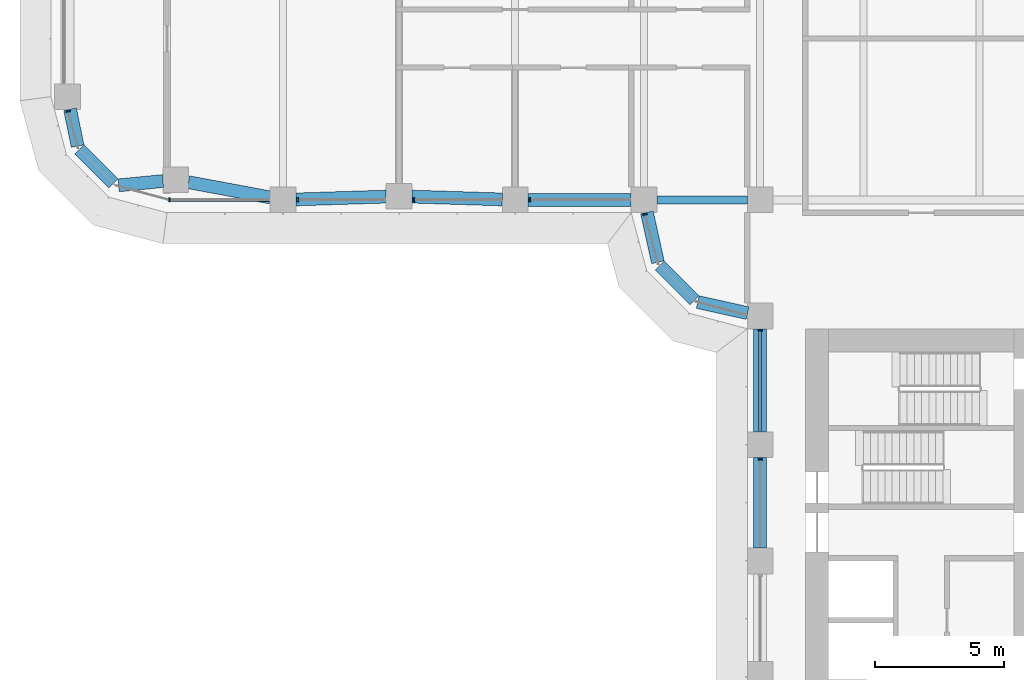
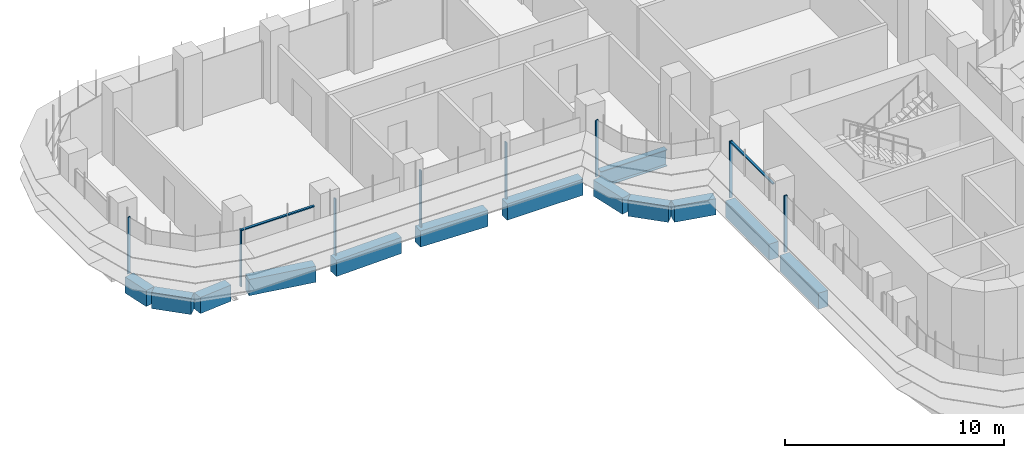
# One storey, part 3 of 23: 13 beams, 10 members, 4 elements without a shape of their own.
"""IFC4 building model written with IfcOpenShell, lengths in metres."""

from ifc_helpers import new_model, si_unit, direction, frame, origin, origin_2d, place, context, subcontext, project, spatial, polyline, rectangle, i_section, outline, extrude, source, transform, mapped, material, material_profile, profile_set, type_object, element, aggregate, save


model = new_model("IFC4")

# Units and contexts
model_context = context("Model", 3, precision=1e-05, world=origin(), true_north=direction((0.0, 1.0)))
body_context = subcontext(model_context, "Body", "Model", "MODEL_VIEW")
ifc_project = project(units=[si_unit("LENGTHUNIT", "METRE"), si_unit("AREAUNIT", "SQUARE_METRE"), si_unit("VOLUMEUNIT", "CUBIC_METRE"), si_unit("PLANEANGLEUNIT", "RADIAN"), si_unit("MASSUNIT", "GRAM", prefix="KILO")], contexts=[model_context])

# Site, building, storey
site_placement = place(None, origin())
site = spatial("IfcSite", under=ifc_project, at=site_placement, CompositionType="ELEMENT")
building_placement = place(site_placement, origin())
building = spatial("IfcBuilding", under=site, at=building_placement, Name="Zarbagh Exchange Tower", CompositionType="ELEMENT")
storey_placement = place(building_placement, frame((0.0, 0.0, 48.0)))
storey = spatial("IfcBuildingStorey", under=building, at=storey_placement, Name="L10", CompositionType="ELEMENT", Elevation=48.0)

# Beams
ifc_material_1 = material(Name="Steel ASTM A992 Gr 50", Category="steel")
ifc_material_profile_1 = material_profile(ifc_material_1, i_section(OverallWidth=0.3046875, OverallDepth=0.91943359375, WebThickness=0.017333984375, FlangeThickness=0.02783203125, at=origin_2d()), Name="W36X170")
ifc_profile_set_1 = profile_set([ifc_material_profile_1], Name="Steel ASTM A992 Gr 50")
beam_type_1 = type_object("IfcBeamType", Name="Floor girder W36X170", PredefinedType="BEAM", material=ifc_profile_set_1)
beam_1_placement = place(storey_placement, frame((-10.25, -6.25, -0.609619140625), z_axis=(1.0, 0.0, 0.0), x_axis=(0.0, 1.0, 0.0)))
element("IfcBeam", 1, at=beam_1_placement, inside=storey, type_object=beam_type_1, Name="Steel girder", PredefinedType="BEAM", context=body_context, shape_type="SweptSolid", body=[
    extrude(i_section(OverallWidth=0.3046875, OverallDepth=0.91943359375, WebThickness=0.017333984375, FlangeThickness=0.02783203125, at=origin_2d()), origin(), (0.0, 0.0, 1.0), 3.5),
])
ifc_material_2 = material(Name="Concrete C60/75", Category="concrete")
ifc_material_profile_2 = material_profile(ifc_material_2, rectangle(XDim=0.5, YDim=0.89990234375, at=origin_2d()), Name="RC spandrel beam 500 x 900 C60/75")
ifc_profile_set_2 = profile_set([ifc_material_profile_2], Name="Concrete C60/75")
beam_type_2 = type_object("IfcBeamType", Name="RC spandrel beam 500 x 900 C60/75", PredefinedType="SPANDREL", material=ifc_profile_set_2)
beam_2_placement = place(storey_placement, frame((-6.25, -19.75, -0.60009765625), z_axis=(0.0, 1.0, 0.0), x_axis=(-1.0, 0.0, 0.0)))
element("IfcBeam", 2, at=beam_2_placement, inside=storey, type_object=beam_type_2, Name="RC spandrel beam", PredefinedType="SPANDREL", context=body_context, shape_type="SweptSolid", body=[
    extrude(rectangle(XDim=0.5, YDim=0.89990234375, at=origin_2d()), origin(), (0.0, 0.0, 1.0), 3.5),
])
beam_3_placement = place(storey_placement, frame((-6.25, -15.25, -0.60009765625), z_axis=(0.0, 1.0, 0.0), x_axis=(-1.0, 0.0, 0.0)))
element("IfcBeam", 3, at=beam_3_placement, inside=storey, type_object=beam_type_2, Name="RC spandrel beam", PredefinedType="SPANDREL", context=body_context, shape_type="SweptSolid", body=[
    extrude(rectangle(XDim=0.5, YDim=0.89990234375, at=origin_2d()), origin(), (0.0, 0.0, 1.0), 4.0),
])
beam_4_placement = place(storey_placement, frame((-6.73828125, -10.64208984375, -0.60009765625), z_axis=(-0.976375426825, 0.216081063242, 0.0), x_axis=(-0.216081063242, -0.976375426825, 0.0)))
element("IfcBeam", 4, at=beam_4_placement, inside=storey, type_object=beam_type_2, Name="RC spandrel beam", PredefinedType="SPANDREL", context=body_context, shape_type="SweptSolid", body=[
    extrude(rectangle(XDim=0.5, YDim=0.89990234375, at=origin_2d()), origin(), (0.0, 0.0, 1.0), 1.978271484375),
])
beam_5_placement = place(storey_placement, frame((-8.792724609375, -10.147216796875, -0.60009765625), z_axis=(-0.707106781187, 0.707106781187, 0.0), x_axis=(-0.707106781187, -0.707106781187, 0.0)))
element("IfcBeam", 5, at=beam_5_placement, inside=storey, type_object=beam_type_2, Name="RC spandrel beam", PredefinedType="SPANDREL", context=body_context, shape_type="SweptSolid", body=[
    extrude(rectangle(XDim=0.5, YDim=0.89990234375, at=origin_2d()), origin(), (0.0, 0.0, 1.0), 1.91552734375),
])
beam_6_placement = place(storey_placement, frame((-10.214599609375, -8.669921875, -0.60009765625), z_axis=(-0.216081063242, 0.976375426825, 0.0), x_axis=(-0.976375426825, -0.216081063242, 0.0)))
element("IfcBeam", 6, at=beam_6_placement, inside=storey, type_object=beam_type_2, Name="RC spandrel beam", PredefinedType="SPANDREL", context=body_context, shape_type="SweptSolid", body=[
    extrude(rectangle(XDim=0.5, YDim=0.89990234375, at=origin_2d()), origin(), (0.0, 0.0, 1.0), 1.978271484375),
])
beam_7_placement = place(storey_placement, frame((-11.25, -6.25, -0.60009765625), z_axis=(-1.0, 0.0, 0.0), x_axis=(0.0, -1.0, 0.0)))
element("IfcBeam", 7, at=beam_7_placement, inside=storey, type_object=beam_type_2, Name="RC spandrel beam", PredefinedType="SPANDREL", context=body_context, shape_type="SweptSolid", body=[
    extrude(rectangle(XDim=0.5, YDim=0.89990234375, at=origin_2d()), origin(), (0.0, 0.0, 1.0), 4.0),
])
for number, where, z_axis, x_axis, name in (
    (8, (-16.249755859375, -6.234619140625, -0.60009765625), (-0.999514385708, 0.031160756759, 0.0), (-0.031160756759, -0.999514385708, 0.0), "RC spandrel beam"),
    (9, (-20.749755859375, -6.12548828125, -0.60009765625), (-0.999514385708, -0.031160756759, 0.0), (0.031160756759, -0.999514385708, 0.0), "RC spandrel beam"),
):
    element("IfcBeam", number, at=place(storey_placement, frame(where, z_axis=z_axis, x_axis=x_axis)), inside=storey, type_object=beam_type_2, Name=name, PredefinedType="SPANDREL", context=body_context, shape_type="SweptSolid", body=[
        extrude(rectangle(XDim=0.5, YDim=0.89990234375, at=origin_2d()), origin(), (0.0, 0.0, 1.0), 3.502197265625),
    ])
beam_8_placement = place(storey_placement, frame((-25.241455078125, -6.158447265625, -0.60009765625), z_axis=(-0.983069300761, 0.183234139565, 0.0), x_axis=(-0.183234139565, -0.983069300761, 0.0)))
element("IfcBeam", 10, at=beam_8_placement, inside=storey, type_object=beam_type_2, Name="RC spandrel beam", PredefinedType="SPANDREL", context=body_context, shape_type="SweptSolid", body=[
    extrude(rectangle(XDim=0.5, YDim=0.89990234375, at=origin_2d()), origin(), (0.0, 0.0, 1.0), 3.229736328125),
])
beam_9_placement = place(storey_placement, frame((-29.40576171875, -5.522705078125, -0.60009765625), z_axis=(-0.995431032456, -0.095483294999, 0.0), x_axis=(0.095483294999, -0.995431032456, 0.0)))
element("IfcBeam", 11, at=beam_9_placement, inside=storey, type_object=beam_type_2, Name="RC spandrel beam", PredefinedType="SPANDREL", context=body_context, shape_type="SweptSolid", body=[
    extrude(rectangle(XDim=0.5, YDim=0.89990234375, at=origin_2d()), origin(), (0.0, 0.0, 1.0), 1.725830078125),
])
beam_10_placement = place(storey_placement, frame((-31.324462890625, -5.615478515625, -0.60009765625), z_axis=(-0.707172099812, 0.707041456527, 0.0), x_axis=(-0.707041456527, -0.707172099812, 0.0)))
element("IfcBeam", 12, at=beam_10_placement, inside=storey, type_object=beam_type_2, Name="RC spandrel beam", PredefinedType="SPANDREL", context=body_context, shape_type="SweptSolid", body=[
    extrude(rectangle(XDim=0.5, YDim=0.89990234375, at=origin_2d()), origin(), (0.0, 0.0, 1.0), 1.86865234375),
])
beam_11_placement = place(storey_placement, frame((-32.714111328125, -4.16796875, -0.60009765625), z_axis=(-0.202068589164, 0.9793713725, 0.0), x_axis=(-0.9793713725, -0.202068589164, 0.0)))
element("IfcBeam", 13, at=beam_11_placement, inside=storey, type_object=beam_type_2, Name="RC spandrel beam", PredefinedType="SPANDREL", context=body_context, shape_type="SweptSolid", body=[
    extrude(rectangle(XDim=0.5, YDim=0.89990234375, at=origin_2d()), origin(), (0.0, 0.0, 1.0), 1.458251953125),
])

# Curtain wall, member
ifc_material_3 = material(Name="Anodised aluminium frame and glazing", Category="aluminium")
curtain_wall_type = type_object("IfcCurtainWallType", Name="CWA Ribbon glazing, lower zones", PredefinedType="NOTDEFINED", material=ifc_material_3)
curtain_wall_1_placement = place(storey_placement, origin())
curtain_wall_1 = element("IfcCurtainWall", 14, at=curtain_wall_1_placement, inside=storey, type_object=curtain_wall_type, Name="CWA37 curtain wall", PredefinedType="NOTDEFINED")
ifc_material_4 = material(Name="Anodised aluminium frame", Category="aluminium")
member_type_1 = type_object("IfcMemberType", Name="MUA Mullion, anodised aluminium frame", PredefinedType="MULLION", material=ifc_material_4)
shared_shape_1 = source(origin(), body_context, "Body", "SweptSolid", [
    extrude(outline(polyline([(0.0, -0.080078125), (0.06005859375, -0.080078125), (0.06005859375, 0.080078125), (0.0, 0.080078125), (0.0, -0.080078125)])), origin(), (0.0, 0.0, 1.0), 3.14990234375),
])
placement = place(storey_placement, origin())
member_1 = element("IfcMember", 15, at=placement, type_object=member_type_1, Name="CWA37 mullion 1.1", PredefinedType="MULLION", context=body_context, shape_type="MappedRepresentation", body=[
    mapped(shared_shape_1, transform((-33.087646484375, -2.7900390625, 0.0), x_axis=(0.258824779902, -0.965924289636, 0.0), y_axis=(0.965924289636, 0.258824779902, 0.0), z_axis=(0.0, 0.0, 1.0))),
])
aggregate(curtain_wall_1, [member_1])

# Curtain wall, members
curtain_wall_2_placement = place(storey_placement, origin())
curtain_wall_2 = element("IfcCurtainWall", 16, at=curtain_wall_2_placement, inside=storey, type_object=curtain_wall_type, Name="CWA40 curtain wall", PredefinedType="NOTDEFINED")
member_2 = element("IfcMember", 17, at=placement, type_object=member_type_1, Name="CWA40 mullion 1.1", PredefinedType="MULLION", context=body_context, shape_type="MappedRepresentation", body=[
    mapped(shared_shape_1, transform((-29.18408203125, -6.25, 0.0), x_axis=(1.0, 0.0, 0.0), y_axis=(0.0, 1.0, 0.0), z_axis=(0.0, 0.0, 1.0))),
])
member_3 = element("IfcMember", 18, at=placement, type_object=member_type_1, Name="CWA40 mullion 2.1", PredefinedType="MULLION", context=body_context, shape_type="MappedRepresentation", body=[
    mapped(shared_shape_1, transform((-24.2099609375, -6.25, 0.0), x_axis=(1.0, 0.0, 0.0), y_axis=(0.0, 1.0, 0.0), z_axis=(0.0, 0.0, 1.0))),
])
member_4 = element("IfcMember", 19, at=placement, type_object=member_type_1, Name="CWA40 mullion 3.1", PredefinedType="MULLION", context=body_context, shape_type="MappedRepresentation", body=[
    mapped(shared_shape_1, transform((-19.7099609375, -6.25, 0.0), x_axis=(1.0, 0.0, 0.0), y_axis=(0.0, 1.0, 0.0), z_axis=(0.0, 0.0, 1.0))),
])
member_5 = element("IfcMember", 20, at=placement, type_object=member_type_1, Name="CWA40 mullion 4.1", PredefinedType="MULLION", context=body_context, shape_type="MappedRepresentation", body=[
    mapped(shared_shape_1, transform((-15.2099609375, -6.25, 0.0), x_axis=(1.0, 0.0, 0.0), y_axis=(0.0, 1.0, 0.0), z_axis=(0.0, 0.0, 1.0))),
])

# Curtain wall, member
curtain_wall_3_placement = place(storey_placement, origin())
curtain_wall_3 = element("IfcCurtainWall", 21, at=curtain_wall_3_placement, inside=storey, type_object=curtain_wall_type, Name="CWA41 curtain wall", PredefinedType="NOTDEFINED")
member_6 = element("IfcMember", 22, at=placement, type_object=member_type_1, Name="CWA41 mullion 1.1", PredefinedType="MULLION", context=body_context, shape_type="MappedRepresentation", body=[
    mapped(shared_shape_1, transform((-10.7216796875, -6.7900390625, 0.0), x_axis=(0.258824779902, -0.965924289636, 0.0), y_axis=(0.965924289636, 0.258824779902, 0.0), z_axis=(0.0, 0.0, 1.0))),
])
aggregate(curtain_wall_3, [member_6])

# Curtain wall, members
curtain_wall_4_placement = place(storey_placement, origin())
curtain_wall_4 = element("IfcCurtainWall", 23, at=curtain_wall_4_placement, inside=storey, type_object=curtain_wall_type, Name="CWA44 curtain wall", PredefinedType="NOTDEFINED")
member_7 = element("IfcMember", 24, at=placement, type_object=member_type_1, Name="CWA44 mullion 1.1", PredefinedType="MULLION", context=body_context, shape_type="MappedRepresentation", body=[
    mapped(shared_shape_1, transform((-6.25, -11.2900390625, 0.0), x_axis=(0.0, -1.0, 0.0), y_axis=(1.0, 0.0, 0.0), z_axis=(0.0, 0.0, 1.0))),
])
member_8 = element("IfcMember", 25, at=placement, type_object=member_type_1, Name="CWA44 mullion 2.1", PredefinedType="MULLION", context=body_context, shape_type="MappedRepresentation", body=[
    mapped(shared_shape_1, transform((-6.25, -16.2900390625, 0.0), x_axis=(0.0, -1.0, 0.0), y_axis=(1.0, 0.0, 0.0), z_axis=(0.0, 0.0, 1.0))),
])
member_type_2 = type_object("IfcMemberType", Name="TRA Transom, anodised aluminium frame", PredefinedType="USERDEFINED", material=ifc_material_4)
shared_shape_2 = source(origin(), body_context, "Body", "SweptSolid", [
    extrude(outline(polyline([(-0.06005859375, -0.06005859375), (0.0, -0.06005859375), (0.0, 0.06005859375), (-0.06005859375, 0.06005859375), (-0.06005859375, -0.06005859375)])), origin(), (0.0, 0.0, 1.0), 3.860107421875),
])
member_9 = element("IfcMember", 26, at=placement, type_object=member_type_2, Name="CWA44 transom 1.1", ObjectType="TRANSOM", PredefinedType="USERDEFINED", context=body_context, shape_type="MappedRepresentation", body=[
    mapped(shared_shape_2, transform((-6.25, -11.35009765625, 3.14990234375), x_axis=(0.0, 0.0, 1.0), y_axis=(-1.0, 0.0, 0.0), z_axis=(0.0, -1.0, 0.0))),
])
aggregate(curtain_wall_4, [member_7, member_9, member_8])

# Member
shared_shape_3 = source(origin(), body_context, "Body", "SweptSolid", [
    extrude(outline(polyline([(-0.06005859375, -0.06005859375), (0.0, -0.06005859375), (0.0, 0.06005859375), (-0.06005859375, 0.06005859375), (-0.06005859375, -0.06005859375)])), origin(), (0.0, 0.0, 1.0), 3.834228515625),
])
member_10 = element("IfcMember", 27, at=placement, type_object=member_type_2, Name="CWA40 transom 1.1", ObjectType="TRANSOM", PredefinedType="USERDEFINED", context=body_context, shape_type="MappedRepresentation", body=[
    mapped(shared_shape_3, transform((-29.124267578125, -6.25, 3.14990234375), x_axis=(0.0, 0.0, 1.0), y_axis=(0.0, -1.0, 0.0), z_axis=(1.0, 0.0, 0.0))),
])

aggregate(curtain_wall_2, [member_2, member_10, member_3, member_4, member_5])

save(model, "model.ifc")
